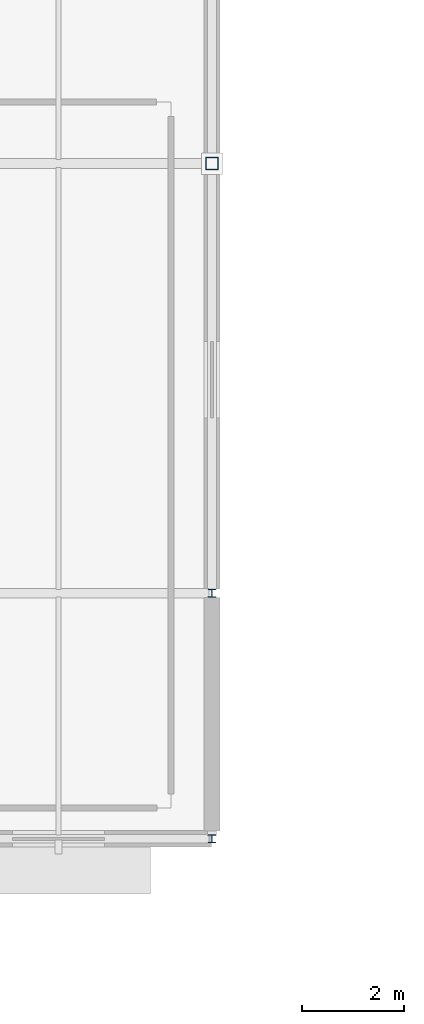
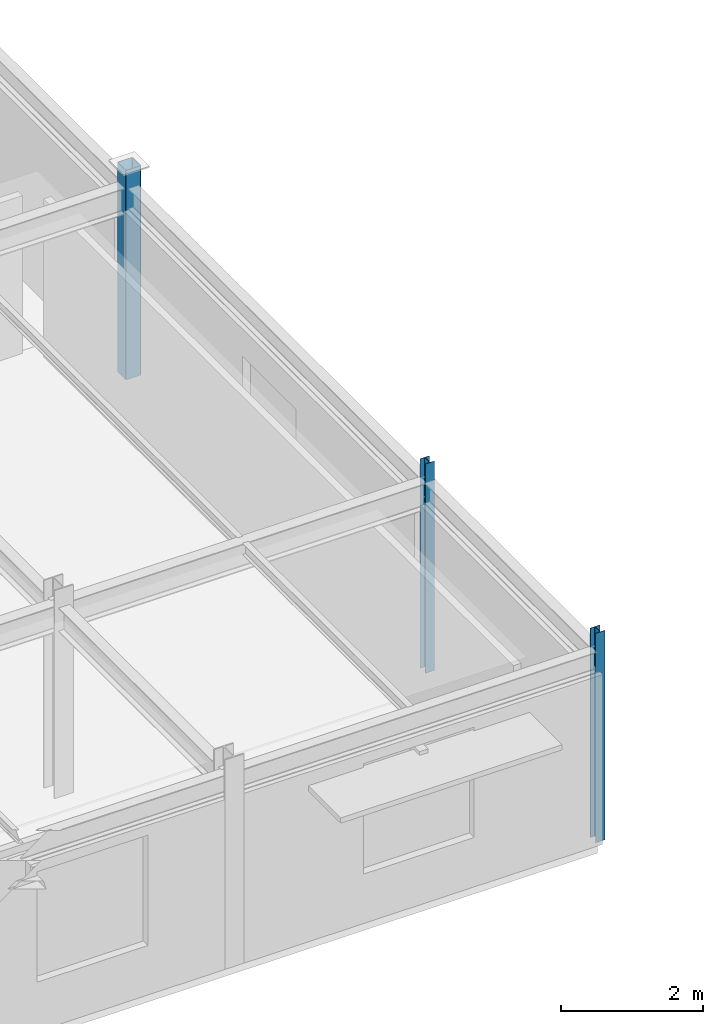
# One storey, part 25 of 109: 3 columns.
"""IFC4 building model written with IfcOpenShell, lengths in metres."""

from ifc_helpers import new_model, si_unit, derived_unit, direction, frame, origin, origin_2d_with_axis, place, context, subcontext, project, spatial, hollow_rectangle, i_section, extrude, material, material_profile, profile_set, type_object, element, save


model = new_model("IFC4")

# Units and contexts
model_context = context("Model", 3, precision=1e-05, world=origin(), true_north=direction((0.0, 1.0)))
body_context = subcontext(model_context, "Body", "Model", "MODEL_VIEW")
ifc_project = project(units=[si_unit("LENGTHUNIT", "METRE"), si_unit("AREAUNIT", "SQUARE_METRE"), si_unit("VOLUMEUNIT", "CUBIC_METRE"), si_unit("PLANEANGLEUNIT", "RADIAN"), si_unit("MASSUNIT", "GRAM", prefix="KILO"), derived_unit("THERMALTRANSMITTANCEUNIT", [(si_unit("POWERUNIT", "WATT"), 1), (si_unit("LENGTHUNIT", "METRE"), -2), (si_unit("THERMODYNAMICTEMPERATUREUNIT", "KELVIN"), -1)])], contexts=[model_context])

# Site, building, storey
site_placement = place(None, origin())
site = spatial("IfcSite", under=ifc_project, at=site_placement, CompositionType="ELEMENT")
building_placement = place(site_placement, origin())
building = spatial("IfcBuilding", under=site, at=building_placement, Name="Cinnabar Yard Market Hall", CompositionType="ELEMENT")
storey_placement = place(building_placement, frame((0.0, 0.0, 8.39990234375)))
storey = spatial("IfcBuildingStorey", under=building, at=storey_placement, Name="L02", CompositionType="ELEMENT", Elevation=8.39990234375)

# Columns
ifc_material_1 = material(Name="Steel Grade 300 (300 MPa)", Category="steel")
ifc_material_profile_1 = material_profile(ifc_material_1, i_section(OverallWidth=0.15283203125, OverallDepth=0.15771484375, WebThickness=0.006591796875, FlangeThickness=0.009521484375, FilletRadius=0.0087890625, at=origin_2d_with_axis()), Name="150UC30.0")
ifc_profile_set_1 = profile_set([ifc_material_profile_1], Name="Steel Grade 300 (300 MPa)")
column_type_1 = type_object("IfcColumnType", Name="COL-C18E", PredefinedType="COLUMN", material=ifc_profile_set_1)
column_1_placement = place(storey_placement, frame((162.0, 108.0, 0.0), z_axis=(0.0, 0.0, 1.0), x_axis=(1.0, 0.0, 0.0)))
element("IfcColumn", 1, at=column_1_placement, inside=storey, type_object=column_type_1, Name="Wing Column V3-11-01 L02", PredefinedType="COLUMN", context=body_context, shape_type="SweptSolid", body=[
    extrude(i_section(OverallWidth=0.15283203125, OverallDepth=0.15771484375, WebThickness=0.006591796875, FlangeThickness=0.009521484375, FilletRadius=0.0087890625, at=origin_2d_with_axis()), origin(), (0.0, 0.0, 1.0), 3.60009765625),
])
ifc_material_profile_2 = material_profile(ifc_material_1, i_section(OverallWidth=0.152099609375, OverallDepth=0.15234375, WebThickness=0.005859375, FlangeThickness=0.0068359375, FilletRadius=0.0087890625, at=origin_2d_with_axis()), Name="150UC23.4")
ifc_profile_set_2 = profile_set([ifc_material_profile_2], Name="Steel Grade 300 (300 MPa)")
column_type_2 = type_object("IfcColumnType", Name="COL-C19E", PredefinedType="COLUMN", material=ifc_profile_set_2)
column_2_placement = place(storey_placement, frame((162.0, 112.800048828125, 0.0), z_axis=(0.0, 0.0, 1.0), x_axis=(1.0, 0.0, 0.0)))
element("IfcColumn", 2, at=column_2_placement, inside=storey, type_object=column_type_2, Name="Wing Column V3-11-02 L02", PredefinedType="COLUMN", context=body_context, shape_type="SweptSolid", body=[
    extrude(i_section(OverallWidth=0.152099609375, OverallDepth=0.15234375, WebThickness=0.005859375, FlangeThickness=0.0068359375, FilletRadius=0.0087890625, at=origin_2d_with_axis()), origin(), (0.0, 0.0, 1.0), 3.60009765625),
])
ifc_material_2 = material(Name="Cold-formed steel C350L0", Category="steel")
ifc_material_profile_3 = material_profile(ifc_material_2, hollow_rectangle(XDim=0.25, YDim=0.25, WallThickness=0.009033203125, InnerFilletRadius=0.009033203125, OuterFilletRadius=0.01806640625, at=origin_2d_with_axis()), Name="250x250x9.0SHS")
ifc_profile_set_3 = profile_set([ifc_material_profile_3], Name="Cold-formed steel C350L0")
column_type_3 = type_object("IfcColumnType", Name="COL-C20E", PredefinedType="COLUMN", material=ifc_profile_set_3)
column_3_placement = place(storey_placement, frame((162.0, 121.199951171875, 0.0), z_axis=(0.0, 0.0, 1.0), x_axis=(1.0, 0.0, 0.0)))
element("IfcColumn", 3, at=column_3_placement, inside=storey, type_object=column_type_3, Name="Wing Column V3-11-03 L02", PredefinedType="COLUMN", context=body_context, shape_type="SweptSolid", body=[
    extrude(hollow_rectangle(XDim=0.25, YDim=0.25, WallThickness=0.009033203125, InnerFilletRadius=0.009033203125, OuterFilletRadius=0.01806640625, at=origin_2d_with_axis()), origin(), (0.0, 0.0, 1.0), 3.60009765625),
])

save(model, "model.ifc")
